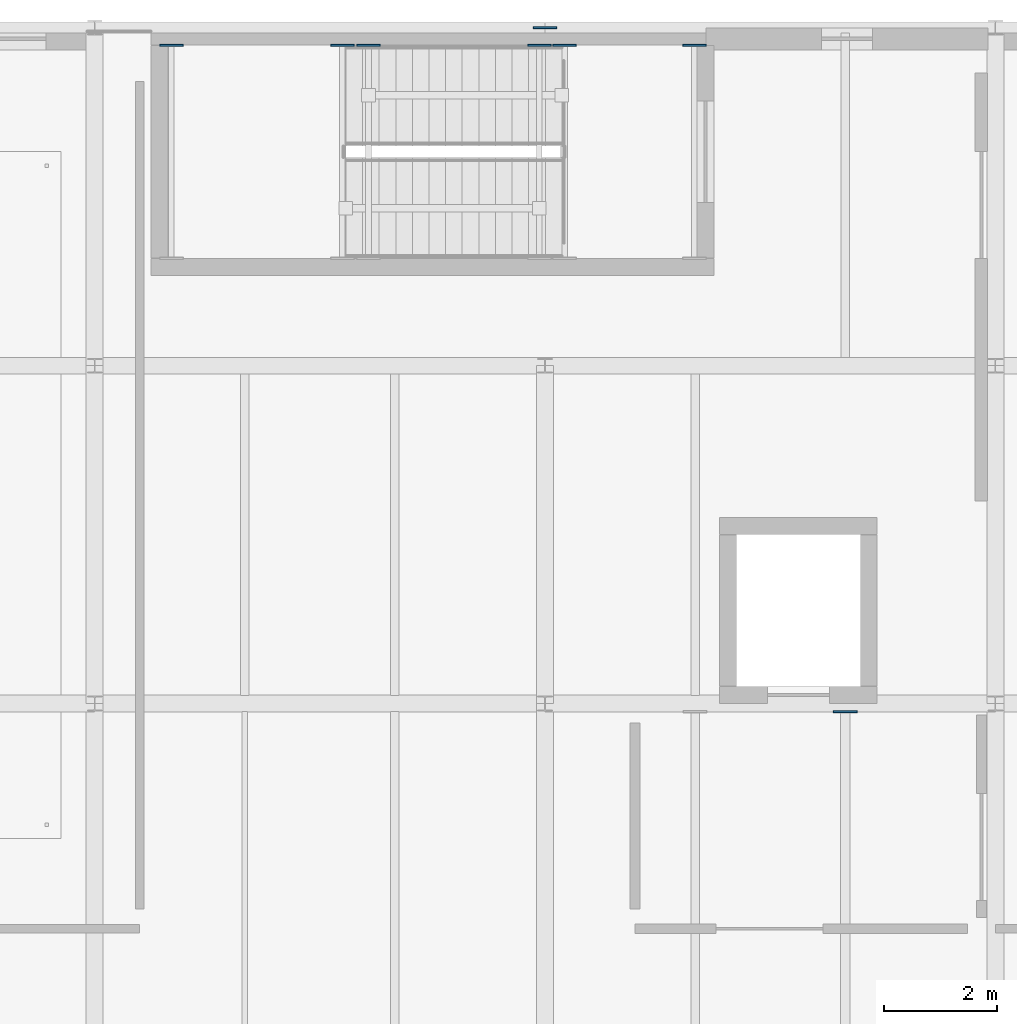
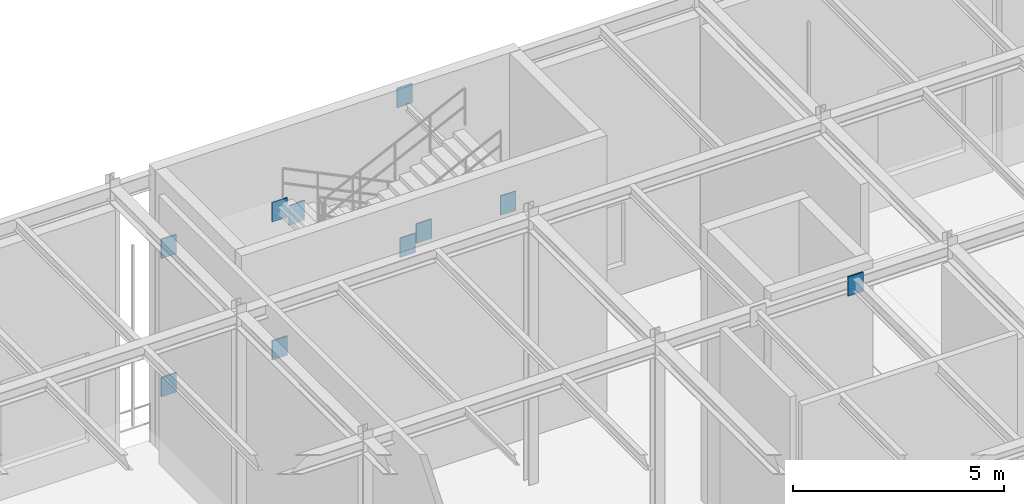
# One storey, part 85 of 138: 10 plates.
"""IFC4 building model written with IfcOpenShell, lengths in metres."""

import ifcopenshell
import ifcopenshell.guid

model = None  # the IFC model being written
_history = None  # IfcOwnerHistory: only IFC2X3 demands one
_inside = {}  # id of a spatial element -> (the spatial element, [elements in it])
_under = {}  # id of a project, library or spatial element -> (it, [spatial elements below it])
_declared = {}  # id of a project -> (the project, [libraries it declares])
_typed = {}  # id of a type object -> (the type object, [elements of that type])
_made_of = {}  # id of a material, layer set ... -> (it, [elements and type objects made of it])


def new_model(schema):
    """Start an empty IFC model of exactly this schema.

    Asked for "IFC4X3", IfcOpenShell would pick the latest addendum, in which some entities
    have other attributes; the version numbers below select the first issue.
    IFC2X3 requires an IfcOwnerHistory on every rooted entity: one is made here for all.
    """
    global model, _history
    if schema == "IFC4X3":
        model = ifcopenshell.file(schema_version=(4, 3, 0, 0))
    else:
        model = ifcopenshell.file(schema=schema)
    _inside.clear()
    _under.clear()
    _declared.clear()
    _typed.clear()
    _made_of.clear()
    _history = None
    if model.schema == "IFC2X3":
        org = make("IfcOrganization", Name="unknown")
        user = make(
            "IfcPersonAndOrganization",
            ThePerson=make("IfcPerson", FamilyName="unknown"),
            TheOrganization=org,
        )
        app = make(
            "IfcApplication",
            ApplicationDeveloper=org,
            Version="unknown",
            ApplicationFullName="unknown",
            ApplicationIdentifier="unknown",
        )
        _history = make(
            "IfcOwnerHistory",
            OwningUser=user,
            OwningApplication=app,
            ChangeAction="ADDED",
            CreationDate=0,
        )
    return model


def make(cls, **values):
    """One entity of the class cls with the attributes given. An attribute that is None is left unset."""
    return model.create_entity(
        cls, **{name: value for name, value in values.items() if value is not None}
    )


def rooted(cls, **values):
    """An entity with a GlobalId (a new one), such as an element, a storey or a relation."""
    return make(cls, GlobalId=ifcopenshell.guid.new(), OwnerHistory=_history, **values)


def si_unit(unit_type, name, prefix=None):
    """IfcSIUnit, for example si_unit("LENGTHUNIT", "METRE", prefix="MILLI")."""
    return make("IfcSIUnit", UnitType=unit_type, Prefix=prefix, Name=name)


def assignment(units):
    """IfcUnitAssignment: the units of a project."""
    return None if units is None else make("IfcUnitAssignment", Units=units)


def point(xyz):
    """IfcCartesianPoint."""
    return None if xyz is None else make("IfcCartesianPoint", Coordinates=xyz)


def direction(xyz):
    """IfcDirection."""
    return None if xyz is None else make("IfcDirection", DirectionRatios=xyz)


def frame(location, z_axis=None, x_axis=None):
    """IfcAxis2Placement3D, a coordinate frame: its origin and axes. An axis left out is left unset."""
    return make(
        "IfcAxis2Placement3D",
        Location=point(location),
        Axis=direction(z_axis),
        RefDirection=direction(x_axis),
    )


def frame_2d(location, x_axis=None):
    """IfcAxis2Placement2D, a coordinate frame in the plane: its origin and x axis."""
    return make(
        "IfcAxis2Placement2D", Location=point(location), RefDirection=direction(x_axis)
    )


def origin():
    """The frame at (0, 0, 0) with its axes left unset."""
    return frame((0.0, 0.0, 0.0))


def origin_2d():
    """The frame at (0, 0) in the plane with its x axis left unset."""
    return frame_2d((0.0, 0.0))


def place(relative_to, where):
    """IfcLocalPlacement: puts the frame where relative to a parent placement (None: the world)."""
    return make(
        "IfcLocalPlacement", PlacementRelTo=relative_to, RelativePlacement=where
    )


def context(
    kind, dimensions, precision=None, world=None, true_north=None, identifier=None
):
    """IfcGeometricRepresentationContext, for example the 3D "Model" context."""
    return make(
        "IfcGeometricRepresentationContext",
        ContextIdentifier=identifier,
        ContextType=kind,
        CoordinateSpaceDimension=dimensions,
        Precision=precision,
        WorldCoordinateSystem=world,
        TrueNorth=true_north,
    )


def subcontext(parent, identifier, kind, view, scale=None):
    """IfcGeometricRepresentationSubContext, for example "Body" below "Model"."""
    return make(
        "IfcGeometricRepresentationSubContext",
        ContextIdentifier=identifier,
        ContextType=kind,
        ParentContext=parent,
        TargetScale=scale,
        TargetView=view,
    )


def project(units=None, contexts=None):
    """IfcProject with its units and contexts."""
    return rooted(
        "IfcProject",
        Name="project",
        RepresentationContexts=contexts,
        UnitsInContext=assignment(units),
    )


def spatial(cls, under=None, at=None, **own):
    """A site, building, storey or space (cls), placed at a placement, below another one or the project."""
    s = rooted(cls, ObjectPlacement=at, **own)
    if under is not None:
        _under.setdefault(under.id(), (under, []))[1].append(s)
    return s


def profile(cls, at=None, kind="AREA", **sizes):
    """A parametric profile (cls). Its sizes go by their IFC names, for example OverallWidth=200.0."""
    return make(cls, ProfileType=kind, Position=at, **sizes)


def rectangle(**sizes):
    """IfcRectangleProfileDef."""
    return profile("IfcRectangleProfileDef", **sizes)


def extrude(swept, where, along, depth):
    """IfcExtrudedAreaSolid: the profile swept, set in the frame where, extruded along a direction by depth."""
    return make(
        "IfcExtrudedAreaSolid",
        SweptArea=swept,
        Position=where,
        ExtrudedDirection=direction(along),
        Depth=depth,
    )


def shape(context_of_items, identifier, shape_type, items):
    """IfcShapeRepresentation: the items that make up one representation, for example the "Body"."""
    return make(
        "IfcShapeRepresentation",
        ContextOfItems=context_of_items,
        RepresentationIdentifier=identifier,
        RepresentationType=shape_type,
        Items=items,
    )


def material(Name=None, Category=None):
    """IfcMaterial."""
    return make("IfcMaterial", Name=Name, Category=Category)


def layer(
    of_material, thickness, ventilated=None, Name=None, Category=None, Priority=None
):
    """IfcMaterialLayer: one layer of a wall or slab, of a material (None: an air gap)."""
    return make(
        "IfcMaterialLayer",
        Material=of_material,
        LayerThickness=thickness,
        IsVentilated=ventilated,
        Name=Name,
        Category=Category,
        Priority=Priority,
    )


def layer_set(layers, Name=None):
    """IfcMaterialLayerSet."""
    return make("IfcMaterialLayerSet", MaterialLayers=layers, LayerSetName=Name)


def made_of(thing, what):
    """Note that an element or type object is made of a material, layer set ...; save() writes the relation."""
    if what is not None:
        _made_of.setdefault(what.id(), (what, []))[1].append(thing)
    return thing


def type_object(cls, material=None, **own):
    """A type object (cls), such as IfcWallType, which elements share."""
    return made_of(rooted(cls, **own), material)


def element(
    cls,
    number,
    at=None,
    inside=None,
    cuts=None,
    type_object=None,
    material=None,
    context=None,
    identifier="Body",
    shape_type=None,
    held_by="IfcProductDefinitionShape",
    body=None,
    shapes=None,
    **own,
):
    """One element of the class cls, such as IfcWall. Its Tag is "e" and its number.

    at: its placement. inside: the storey or other place that contains it. cuts: it is an
    opening in that element (IfcRelVoidsElement). A single representation is given by context,
    identifier, shape_type and body (its items); several are given by shapes. held_by: the class
    of the entity that holds the representations. save() writes the other relations.
    """
    e = rooted(cls, Tag="e%d" % number, ObjectPlacement=at, **own)
    if body is not None:
        shapes = [shape(context, identifier, shape_type, body)]
    if shapes is not None:
        e.Representation = make(held_by, Representations=shapes)
    if inside is not None:
        _inside.setdefault(inside.id(), (inside, []))[1].append(e)
    if cuts is not None:
        rooted(
            "IfcRelVoidsElement", RelatingBuildingElement=cuts, RelatedOpeningElement=e
        )
    if type_object is not None:
        _typed.setdefault(type_object.id(), (type_object, []))[1].append(e)
    return made_of(e, material)


def aggregate(whole, parts):
    """IfcRelAggregates: a whole, such as a stair, and the parts it consists of."""
    return rooted("IfcRelAggregates", RelatingObject=whole, RelatedObjects=parts)


def save(model, path):
    """Write the relations noted so far, then the file.

    IfcRelAggregates (storeys below a building ...), IfcRelContainedInSpatialStructure (elements
    in a storey), IfcRelDefinesByType, IfcRelAssociatesMaterial and IfcRelDeclares: one each for
    every whole, place, type object, material and project.
    """
    for whole, parts in _under.values():
        aggregate(whole, parts)
    for where, things in _inside.values():
        rooted(
            "IfcRelContainedInSpatialStructure",
            RelatedElements=things,
            RelatingStructure=where,
        )
    for kind, things in _typed.values():
        rooted("IfcRelDefinesByType", RelatedObjects=things, RelatingType=kind)
    for what, things in _made_of.values():
        rooted("IfcRelAssociatesMaterial", RelatedObjects=things, RelatingMaterial=what)
    for by, libraries in _declared.values():
        rooted("IfcRelDeclares", RelatingContext=by, RelatedDefinitions=libraries)
    model.write(path)


model = new_model("IFC4")

# Units and contexts
model_context = context("Model", 3, precision=1e-05, world=origin(), true_north=direction((0.0, 1.0)))
body_context = subcontext(model_context, "Body", "Model", "MODEL_VIEW")
ifc_project = project(units=[si_unit("LENGTHUNIT", "METRE"), si_unit("AREAUNIT", "SQUARE_METRE"), si_unit("VOLUMEUNIT", "CUBIC_METRE"), si_unit("PLANEANGLEUNIT", "RADIAN"), si_unit("MASSUNIT", "GRAM", prefix="KILO")], contexts=[model_context])

# Site, building, storey
site_placement = place(None, origin())
site = spatial("IfcSite", under=ifc_project, at=site_placement, CompositionType="ELEMENT")
building_placement = place(site_placement, origin())
building = spatial("IfcBuilding", under=site, at=building_placement, Name="Sundkrona Museum", CompositionType="ELEMENT")
storey_placement = place(building_placement, frame((0.0, 0.0, 9.60009765625)))
storey = spatial("IfcBuildingStorey", under=building, at=storey_placement, Name="L02", CompositionType="ELEMENT", Elevation=9.60009765625)

# Plates
ifc_material = material(Name="Steel S355J2", Category="steel")
ifc_layer = layer(ifc_material, 0.034912109375)
ifc_layer_set = layer_set([ifc_layer], Name="Steel S355J2")
plate_type = type_object("IfcPlateType", Name="EP-1", PredefinedType="USERDEFINED", material=ifc_layer_set)
for number, where, z_axis, x_axis, name in (
    (1, (48.0, 114.0, 7.2548828125), (0.0, 0.0, 1.0), (1.0, 0.0, 0.0), "Core Wall Cast-In Embed Plate BM-L02-X-1253-2"),
    (2, (53.333251953125, 101.85595703125, 7.2998046875), (0.0, 0.0, 1.0), (1.0, 0.0, 0.0), "Core Wall Cast-In Embed Plate JS-L02-0805-2"),
    (3, (41.36328125, 113.68994140625, 1.39990234375), (0.0, 0.0, 1.0), (1.0, 0.0, 0.0), "Core Wall Cast-In Embed Plate BM-STLD-ST-3-L02-1A-2"),
    (4, (44.401611328125, 113.68994140625, 1.39990234375), (0.0, 0.0, 1.0), (1.0, 0.0, 0.0), "Core Wall Cast-In Embed Plate BM-STLD-ST-3-L02-1B-2"),
    (5, (48.347900390625, 113.68994140625, 3.39990234375), (0.0, 0.0, 1.0), (1.0, 0.0, 0.0), "Core Wall Cast-In Embed Plate BM-STLD-ST-3-L02-2A-2"),
    (6, (50.652099609375, 113.68994140625, 3.39990234375), (0.0, 0.0, 1.0), (1.0, 0.0, 0.0), "Core Wall Cast-In Embed Plate BM-STLD-ST-3-L02-2B-2"),
    (7, (41.36328125, 113.68994140625, 5.39990234375), (0.0, 0.0, 1.0), (1.0, 0.0, 0.0), "Core Wall Cast-In Embed Plate BM-STLD-ST-3-L02-3A-2"),
    (8, (44.401611328125, 113.68994140625, 5.39990234375), (0.0, 0.0, 1.0), (1.0, 0.0, 0.0), "Core Wall Cast-In Embed Plate BM-STLD-ST-3-L02-3B-2"),
    (9, (47.89990234375, 113.68994140625, 3.143798828125), (0.0, 0.0, 1.0), (1.0, 0.0, 0.0), "Core Wall Cast-In Embed Plate BM-STHD-ST-3-L02-2-2"),
    (10, (44.864990234375, 113.68994140625, 5.143798828125), (0.0, 0.0, 1.0), (1.0, 0.0, 0.0), "Core Wall Cast-In Embed Plate BM-STHD-ST-3-L02-3-2"),
):
    element("IfcPlate", number, at=place(storey_placement, frame(where, z_axis=z_axis, x_axis=x_axis)), inside=storey, type_object=plate_type, Name=name, ObjectType="GUSSET PLATE", PredefinedType="USERDEFINED", context=body_context, shape_type="SweptSolid", body=[
        extrude(rectangle(XDim=0.419921875, YDim=0.034912109375, at=origin_2d()), origin(), (0.0, 0.0, 1.0), 0.56005859375),
    ])

save(model, "model.ifc")
